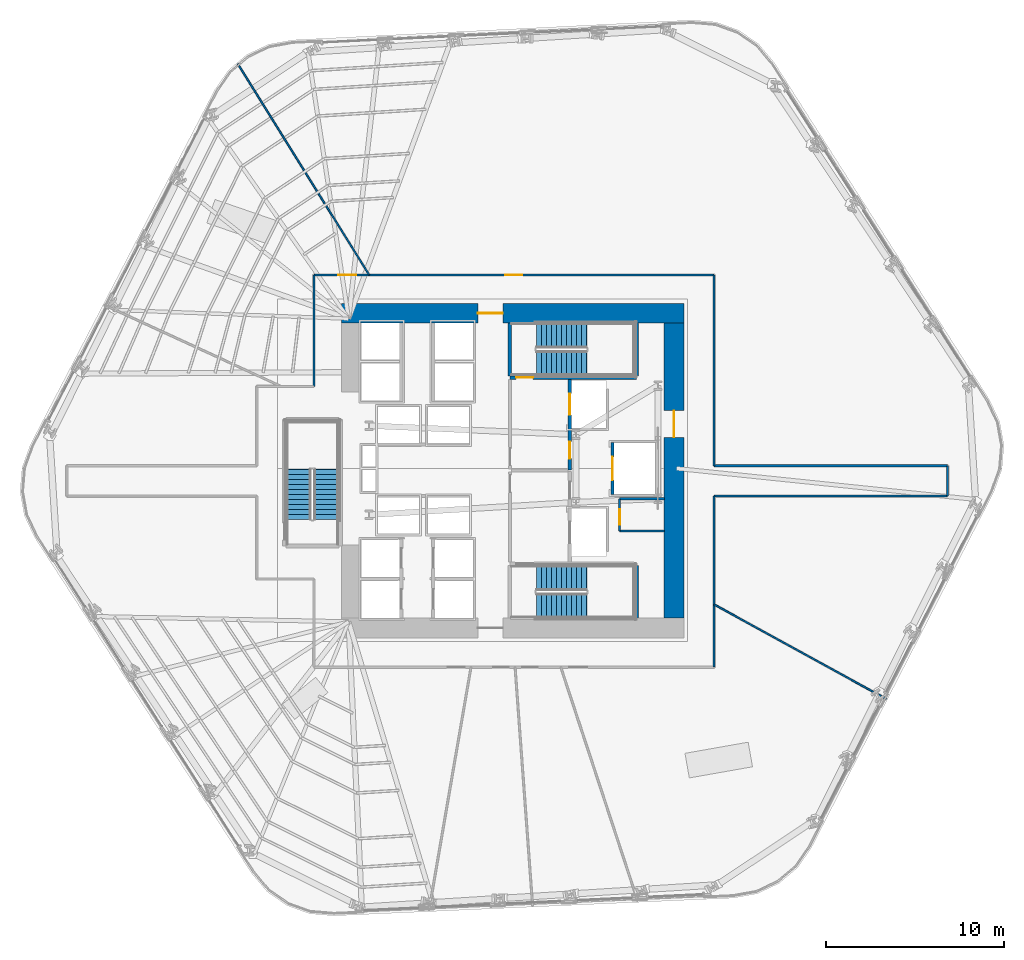
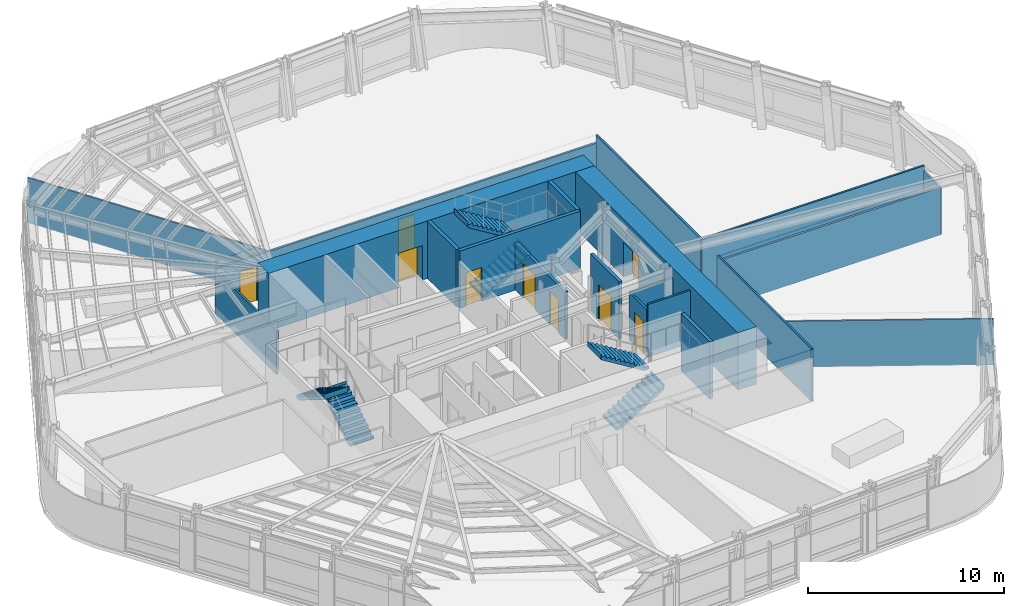
# One storey, part 9 of 15: 20 walls, 9 doors, 6 stair flights, 9 openings, 3 elements without a shape of their own.
"""IFC4 building model written with IfcOpenShell, lengths in metres."""

from ifc_helpers import new_model, si_unit, direction, frame, frame_2d, origin, place, context, subcontext, project, spatial, polyline, rectangle, outline, extrude, material, layer, layer_set, type_object, element, fill, aggregate, save


model = new_model("IFC4")

# Units and contexts
model_context = context("Model", 3, precision=1e-05, world=origin(), true_north=direction((0.0, 1.0)))
body_context = subcontext(model_context, "Body", "Model", "MODEL_VIEW")
ifc_project = project(units=[si_unit("LENGTHUNIT", "METRE"), si_unit("AREAUNIT", "SQUARE_METRE"), si_unit("VOLUMEUNIT", "CUBIC_METRE"), si_unit("PLANEANGLEUNIT", "RADIAN"), si_unit("MASSUNIT", "GRAM", prefix="KILO")], contexts=[model_context])

# Site, building, storey
site_placement = place(None, origin())
site = spatial("IfcSite", under=ifc_project, at=site_placement, CompositionType="ELEMENT")
building_placement = place(site_placement, origin())
building = spatial("IfcBuilding", under=site, at=building_placement, Name="Valkerne Bourse Tower", CompositionType="ELEMENT")
storey_placement = place(building_placement, frame((0.0, 0.0, 35.39990234375)))
storey = spatial("IfcBuildingStorey", under=building, at=storey_placement, Name="L08", CompositionType="ELEMENT", Elevation=35.39990234375)

# Wall, opening, door
ifc_material_1 = material(Name="Concrete C70/85", Category="concrete")
ifc_layer_1 = layer(ifc_material_1, 1.10009765625)
ifc_layer_set_1 = layer_set([ifc_layer_1], Name="Concrete C70/85")
wall_type_1 = type_object("IfcWallType", Name="W-CORE-1100", PredefinedType="SHEAR", material=ifc_layer_set_1)
wall_1_placement = place(storey_placement, frame((37.199951171875, 35.699951171875, 0.0), z_axis=(0.0, 0.0, 1.0), x_axis=(1.0, 0.0, 0.0)))
wall_1 = element("IfcWall", 1, at=wall_1_placement, inside=storey, type_object=wall_type_1, Name="L08 Core Shear Wall NORTH", PredefinedType="SHEAR", context=body_context, shape_type="SweptSolid", body=[
    extrude(rectangle(XDim=19.199951171875, YDim=1.10009765625, at=frame_2d((9.60009765625, 0.0))), origin(), (0.0, 0.0, 1.0), 3.580078125),
])
opening_1_placement = place(wall_1_placement, frame((7.64990234375, 0.0, 0.0)))
opening_1 = element("IfcOpeningElement", 2, at=opening_1_placement, cuts=wall_1, Name="Opening D-PL-1400", PredefinedType="OPENING", context=body_context, shape_type="SweptSolid", body=[
    extrude(rectangle(XDim=1.39990234375, YDim=2.14990234375, at=frame_2d((0.699951171875, 1.074951171875))), frame((0.0, 0.56005859375, 0.0), z_axis=(0.0, -1.0, 0.0), x_axis=(1.0, 0.0, 0.0)), (0.0, 0.0, 1.0), 1.1201171875),
])
ifc_material_2 = material(Name="Galvanised Painted Steel", Category="steel")
door_type_1 = type_object("IfcDoorType", Name="DR-PLT-1400", OperationType="DOUBLE_DOOR_SINGLE_SWING", PredefinedType="DOOR", material=ifc_material_2)
door_1_placement = place(opening_1_placement, origin())
door_1 = element("IfcDoor", 3, at=door_1_placement, inside=storey, type_object=door_type_1, Name="L08 North Passenger Lift Hall Fire Door", OperationType="DOUBLE_DOOR_SINGLE_SWING", OverallHeight=2.14990234375, OverallWidth=1.39990234375, PredefinedType="DOOR", context=body_context, shape_type="SweptSolid", body=[
    extrude(rectangle(XDim=1.39990234375, YDim=2.14990234375, at=frame_2d((0.699951171875, 1.074951171875))), frame((0.0, 0.02490234375, 0.0), z_axis=(0.0, -1.0, 0.0), x_axis=(1.0, 0.0, 0.0)), (0.0, 0.0, 1.0), 0.050048828125),
])
fill(opening_1, door_1)

wall_2_placement = place(storey_placement, frame((55.85009765625, 18.60009765625, 0.0), z_axis=(0.0, 0.0, 1.0), x_axis=(0.0, 1.0, 0.0)))
wall_2 = element("IfcWall", 4, at=wall_2_placement, inside=storey, type_object=wall_type_1, Name="L08 Core Shear Wall EAST", PredefinedType="SHEAR", context=body_context, shape_type="SweptSolid", body=[
    extrude(rectangle(XDim=16.5498046875, YDim=1.10009765625, at=frame_2d((8.27490234375, 0.0))), origin(), (0.0, 0.0, 1.0), 3.580078125),
])
opening_2_placement = place(wall_2_placement, frame((10.14990234375, 0.0, 0.0)))
opening_2 = element("IfcOpeningElement", 5, at=opening_2_placement, cuts=wall_2, Name="Opening D-CR-1500", PredefinedType="OPENING", context=body_context, shape_type="SweptSolid", body=[
    extrude(rectangle(XDim=1.5, YDim=2.14990234375, at=frame_2d((0.75, 1.074951171875))), frame((0.0, 0.56005859375, 0.0), z_axis=(0.0, -1.0, 0.0), x_axis=(1.0, 0.0, 0.0)), (0.0, 0.0, 1.0), 1.1201171875),
])
door_type_2 = type_object("IfcDoorType", Name="DR-CORR-1500", OperationType="DOUBLE_DOOR_SINGLE_SWING", PredefinedType="DOOR", material=ifc_material_2)
door_2_placement = place(opening_2_placement, origin())
door_2 = element("IfcDoor", 6, at=door_2_placement, inside=storey, type_object=door_type_2, Name="L08 East Core Service Lobby Fire Door", OperationType="DOUBLE_DOOR_SINGLE_SWING", OverallHeight=2.14990234375, OverallWidth=1.5, PredefinedType="DOOR", context=body_context, shape_type="SweptSolid", body=[
    extrude(rectangle(XDim=1.5, YDim=2.14990234375, at=frame_2d((0.75, 1.074951171875))), frame((0.0, 0.02490234375, 0.0), z_axis=(0.0, -1.0, 0.0), x_axis=(1.0, 0.0, 0.0)), (0.0, 0.0, 1.0), 0.050048828125),
])
fill(opening_2, door_2)

ifc_material_3 = material(Name="Gypsum Board Steel-Stud Partition", Category="steel")
ifc_layer_2 = layer(ifc_material_3, 0.117919921875)
ifc_layer_set_2 = layer_set([ifc_layer_2], Name="Gypsum Board Steel-Stud Partition")
wall_type_2 = type_object("IfcWallType", Name="W-CORR-140", PredefinedType="PARTITIONING", material=ifc_layer_set_2)
wall_3_placement = place(storey_placement, frame((52.800048828125, 23.5, 0.0), z_axis=(0.0, 0.0, 1.0), x_axis=(0.0, 1.0, 0.0)))
wall_3 = element("IfcWall", 7, at=wall_3_placement, inside=storey, type_object=wall_type_2, Name="L08 Core SE North-Bay West Wall", PredefinedType="PARTITIONING", context=body_context, shape_type="SweptSolid", body=[
    extrude(rectangle(XDim=1.800048828125, YDim=0.117919921875, at=frame_2d((0.89990234375, 0.0))), origin(), (0.0, 0.0, 1.0), 2.9580078125),
])
opening_3_placement = place(wall_3_placement, frame((0.35009765625, 0.0, 0.0)))
opening_3 = element("IfcOpeningElement", 8, at=opening_3_placement, cuts=wall_3, Name="Opening D-WC-900", PredefinedType="OPENING", context=body_context, shape_type="SweptSolid", body=[
    extrude(rectangle(XDim=0.860107421875, YDim=2.050048828125, at=frame_2d((0.43017578125, 1.02490234375))), frame((0.0, 0.06884765625, 0.0), z_axis=(0.0, -1.0, 0.0), x_axis=(1.0, 0.0, 0.0)), (0.0, 0.0, 1.0), 0.137939453125),
])
ifc_material_4 = material(Name="Architectural White Oak Timber", Category="wood")
door_type_3 = type_object("IfcDoorType", Name="DR-WC-900", OperationType="NOTDEFINED", PredefinedType="DOOR", material=ifc_material_4)
door_3_placement = place(opening_3_placement, origin())
door_3 = element("IfcDoor", 9, at=door_3_placement, inside=storey, type_object=door_type_3, Name="L08 Telecom Closet Door", OperationType="SINGLE_SWING_LEFT", OverallHeight=2.050048828125, OverallWidth=0.860107421875, PredefinedType="DOOR", context=body_context, shape_type="SweptSolid", body=[
    extrude(rectangle(XDim=0.860107421875, YDim=2.050048828125, at=frame_2d((0.43017578125, 1.02490234375))), frame((0.0, 0.02490234375, 0.0), z_axis=(0.0, -1.0, 0.0), x_axis=(1.0, 0.0, 0.0)), (0.0, 0.0, 1.0), 0.050048828125),
])
fill(opening_3, door_3)

# Walls
wall_4_placement = place(storey_placement, frame((52.800048828125, 23.5, 0.0), z_axis=(0.0, 0.0, 1.0), x_axis=(1.0, 0.0, 0.0)))
element("IfcWall", 10, at=wall_4_placement, inside=storey, type_object=wall_type_2, Name="L08 Core SE North-Bay South Wall", PredefinedType="PARTITIONING", context=body_context, shape_type="SweptSolid", body=[
    extrude(rectangle(XDim=2.52001953125, YDim=0.117919921875, at=frame_2d((1.260009765625, 0.0))), origin(), (0.0, 0.0, 1.0), 3.280029296875),
])
wall_5_placement = place(storey_placement, frame((52.800048828125, 25.300048828125, 0.0), z_axis=(0.0, 0.0, 1.0), x_axis=(1.0, 0.0, 0.0)))
element("IfcWall", 11, at=wall_5_placement, inside=storey, type_object=wall_type_2, Name="L08 Core SE North-Bay North Wall", PredefinedType="PARTITIONING", context=body_context, shape_type="SweptSolid", body=[
    extrude(rectangle(XDim=2.52001953125, YDim=0.117919921875, at=frame_2d((1.260009765625, 0.0))), origin(), (0.0, 0.0, 1.0), 2.9580078125),
])
wall_6_placement = place(storey_placement, frame((58.10009765625, 27.14990234375, 0.0), z_axis=(0.0, 0.0, 1.0), x_axis=(1.0, 0.0, 0.0)))
element("IfcWall", 12, at=wall_6_placement, inside=storey, type_object=wall_type_2, Name="L08 Corridor Enclosure Wall", PredefinedType="PARTITIONING", context=body_context, shape_type="SweptSolid", body=[
    extrude(rectangle(XDim=13.099853515625, YDim=0.117919921875, at=frame_2d((6.5498046875, 0.0))), origin(), (0.0, 0.0, 1.0), 3.280029296875),
])
wall_7_placement = place(storey_placement, frame((71.199951171875, 27.14990234375, 0.0), z_axis=(0.0, 0.0, 1.0), x_axis=(0.0, -1.0, 0.0)))
element("IfcWall", 13, at=wall_7_placement, inside=storey, type_object=wall_type_2, Name="L08 Corridor Enclosure Wall", PredefinedType="PARTITIONING", context=body_context, shape_type="SweptSolid", body=[
    extrude(rectangle(XDim=1.699951171875, YDim=0.117919921875, at=frame_2d((0.85009765625, 0.0))), origin(), (0.0, 0.0, 1.0), 2.962890625),
])
wall_8_placement = place(storey_placement, frame((71.199951171875, 25.449951171875, 0.0), z_axis=(0.0, 0.0, 1.0), x_axis=(-1.0, 0.0, 0.0)))
element("IfcWall", 14, at=wall_8_placement, inside=storey, type_object=wall_type_2, Name="L08 Corridor Enclosure Wall", PredefinedType="PARTITIONING", context=body_context, shape_type="SweptSolid", body=[
    extrude(rectangle(XDim=13.099853515625, YDim=0.117919921875, at=frame_2d((6.5498046875, 0.0))), origin(), (0.0, 0.0, 1.0), 2.962890625),
])
wall_9_placement = place(storey_placement, frame((58.10009765625, 25.449951171875, 0.0), z_axis=(0.0, 0.0, 1.0), x_axis=(0.0, -1.0, 0.0)))
element("IfcWall", 15, at=wall_9_placement, inside=storey, type_object=wall_type_2, Name="L08 Corridor Enclosure Wall", PredefinedType="PARTITIONING", context=body_context, shape_type="SweptSolid", body=[
    extrude(rectangle(XDim=9.599853515625, YDim=0.117919921875, at=frame_2d((4.7998046875, 0.0))), origin(), (0.0, 0.0, 1.0), 3.280029296875),
])
wall_10_placement = place(storey_placement, frame((35.64990234375, 31.60009765625, 0.0), z_axis=(0.0, 0.0, 1.0), x_axis=(0.0, 1.0, 0.0)))
element("IfcWall", 16, at=wall_10_placement, inside=storey, type_object=wall_type_2, Name="L08 Corridor Enclosure Wall", PredefinedType="PARTITIONING", context=body_context, shape_type="SweptSolid", body=[
    extrude(rectangle(XDim=6.25, YDim=0.117919921875, at=frame_2d((3.125, 0.0))), origin(), (0.0, 0.0, 1.0), 2.71142578125),
])

# Wall, openings, doors
wall_11_placement = place(storey_placement, frame((35.64990234375, 37.85009765625, 0.0), z_axis=(0.0, 0.0, 1.0), x_axis=(1.0, 0.0, 0.0)))
wall_11 = element("IfcWall", 17, at=wall_11_placement, inside=storey, type_object=wall_type_2, Name="L08 Corridor Enclosure Wall", PredefinedType="PARTITIONING", context=body_context, shape_type="SweptSolid", body=[
    extrude(rectangle(XDim=22.4501953125, YDim=0.117919921875, at=frame_2d((11.22509765625, 0.0))), origin(), (0.0, 0.0, 1.0), 2.800537109375),
])
opening_4_placement = place(wall_11_placement, frame((1.364990234375, 0.0, 0.0)))
opening_4 = element("IfcOpeningElement", 18, at=opening_4_placement, cuts=wall_11, Name="Opening D-MG-1000", PredefinedType="OPENING", context=body_context, shape_type="SweptSolid", body=[
    extrude(rectangle(XDim=1.0, YDim=2.14990234375, at=frame_2d((0.5, 1.074951171875))), frame((0.0, 0.06884765625, 0.0), z_axis=(0.0, -1.0, 0.0), x_axis=(1.0, 0.0, 0.0)), (0.0, 0.0, 1.0), 0.137939453125),
])
opening_5_placement = place(wall_11_placement, frame((10.75, 0.0, 0.0)))
opening_5 = element("IfcOpeningElement", 19, at=opening_5_placement, cuts=wall_11, Name="Opening D-OF-950", PredefinedType="OPENING", context=body_context, shape_type="SweptSolid", body=[
    extrude(rectangle(XDim=0.949951171875, YDim=2.10009765625, at=frame_2d((0.47509765625, 1.050048828125))), frame((0.0, 0.06884765625, 0.0), z_axis=(0.0, -1.0, 0.0), x_axis=(1.0, 0.0, 0.0)), (0.0, 0.0, 1.0), 0.137939453125),
])
ifc_material_5 = material(Name="Laminated Tempered Safety Glass", Category="glass")
door_type_4 = type_object("IfcDoorType", Name="DR-MTG-1000", OperationType="NOTDEFINED", PredefinedType="DOOR", material=ifc_material_5)
door_4_placement = place(opening_4_placement, origin())
door_4 = element("IfcDoor", 20, at=door_4_placement, inside=storey, type_object=door_type_4, Name="L08 L08 Client Strategy Conference Room 3 Door", OperationType="SINGLE_SWING_LEFT", OverallHeight=2.14990234375, OverallWidth=1.0, PredefinedType="DOOR", context=body_context, shape_type="SweptSolid", body=[
    extrude(rectangle(XDim=1.0, YDim=2.14990234375, at=frame_2d((0.5, 1.074951171875))), frame((0.0, 0.02490234375, 0.0), z_axis=(0.0, -1.0, 0.0), x_axis=(1.0, 0.0, 0.0)), (0.0, 0.0, 1.0), 0.050048828125),
])
fill(opening_4, door_4)
door_type_5 = type_object("IfcDoorType", Name="DR-OFF-950", OperationType="NOTDEFINED", PredefinedType="DOOR", material=ifc_material_4)
door_5_placement = place(opening_5_placement, origin())
door_5 = element("IfcDoor", 21, at=door_5_placement, inside=storey, type_object=door_type_5, Name="L08 L08 Hospitality Catering Kitchen 6 Door", OperationType="SINGLE_SWING_RIGHT", OverallHeight=2.10009765625, OverallWidth=0.949951171875, PredefinedType="DOOR", context=body_context, shape_type="SweptSolid", body=[
    extrude(rectangle(XDim=0.949951171875, YDim=2.10009765625, at=frame_2d((0.47509765625, 1.050048828125))), frame((0.0, 0.02490234375, 0.0), z_axis=(0.0, -1.0, 0.0), x_axis=(1.0, 0.0, 0.0)), (0.0, 0.0, 1.0), 0.050048828125),
])
fill(opening_5, door_5)

# Wall
wall_12_placement = place(storey_placement, frame((58.10009765625, 37.85009765625, 0.0), z_axis=(0.0, 0.0, 1.0), x_axis=(0.0, -1.0, 0.0)))
element("IfcWall", 22, at=wall_12_placement, inside=storey, type_object=wall_type_2, Name="L08 Corridor Enclosure Wall", PredefinedType="PARTITIONING", context=body_context, shape_type="SweptSolid", body=[
    extrude(rectangle(XDim=10.7001953125, YDim=0.117919921875, at=frame_2d((5.35009765625, 0.0))), origin(), (0.0, 0.0, 1.0), 3.280029296875),
])

# Wall, openings, doors
ifc_material_6 = material(Name="Gypsum Fire-Rated Shaftwall", Category="gypsum")
ifc_layer_3 = layer(ifc_material_6, 0.179931640625)
ifc_layer_set_3 = layer_set([ifc_layer_3], Name="Gypsum Fire-Rated Shaftwall")
wall_type_3 = type_object("IfcWallType", Name="W-FSAE-180", PredefinedType="PARTITIONING", material=ifc_layer_set_3)
wall_13_placement = place(storey_placement, frame((50.0, 26.919921875, 0.0), z_axis=(0.0, 0.0, 1.0), x_axis=(0.0, 1.0, 0.0)))
wall_13 = element("IfcWall", 23, at=wall_13_placement, inside=storey, type_object=wall_type_3, Name="L08 FSAE-2 Lobby & Shaft Front Wall", PredefinedType="PARTITIONING", context=body_context, shape_type="SweptSolid", body=[
    extrude(rectangle(XDim=5.080078125, YDim=0.179931640625, at=frame_2d((2.5400390625, 0.0))), origin(), (0.0, 0.0, 1.0), 2.9580078125),
])
opening_6_placement = place(wall_13_placement, frame((3.080078125, 0.0, 0.0)))
opening_6 = element("IfcOpeningElement", 24, at=opening_6_placement, cuts=wall_13, Name="Opening LD-1200", PredefinedType="OPENING", context=body_context, shape_type="SweptSolid", body=[
    extrude(rectangle(XDim=1.199951171875, YDim=2.14990234375, at=frame_2d((0.60009765625, 1.074951171875))), frame((0.0, 0.099853515625, 0.0), z_axis=(0.0, -1.0, 0.0), x_axis=(1.0, 0.0, 0.0)), (0.0, 0.0, 1.0), 0.199951171875),
])
opening_7_placement = place(wall_13_placement, frame((0.6298828125, 0.0, 0.0)))
opening_7 = element("IfcOpeningElement", 25, at=opening_7_placement, cuts=wall_13, Name="Opening D-FS-950", PredefinedType="OPENING", context=body_context, shape_type="SweptSolid", body=[
    extrude(rectangle(XDim=0.949951171875, YDim=2.10009765625, at=frame_2d((0.47509765625, 1.050048828125))), frame((0.0, 0.099853515625, 0.0), z_axis=(0.0, -1.0, 0.0), x_axis=(1.0, 0.0, 0.0)), (0.0, 0.0, 1.0), 0.199951171875),
])
door_type_6 = type_object("IfcDoorType", Name="DR-FSAE-950", OperationType="NOTDEFINED", PredefinedType="DOOR", material=ifc_material_2)
door_6_placement = place(opening_7_placement, origin())
door_6 = element("IfcDoor", 26, at=door_6_placement, inside=storey, type_object=door_type_6, Name="L08 FSAE-2 Lobby Corridor Fire Door", OperationType="SINGLE_SWING_LEFT", OverallHeight=2.10009765625, OverallWidth=0.949951171875, PredefinedType="DOOR", context=body_context, shape_type="SweptSolid", body=[
    extrude(rectangle(XDim=0.949951171875, YDim=2.10009765625, at=frame_2d((0.47509765625, 1.050048828125))), frame((0.0, 0.02490234375, 0.0), z_axis=(0.0, -1.0, 0.0), x_axis=(1.0, 0.0, 0.0)), (0.0, 0.0, 1.0), 0.050048828125),
])
fill(opening_7, door_6)
ifc_material_7 = material(Name="Stainless Steel AISI 316", Category="steel")
door_type_7 = type_object("IfcDoorType", Name="DR-LIFT-1200", OperationType="DOUBLE_DOOR_SLIDING", PredefinedType="DOOR", material=ifc_material_7)
door_7_placement = place(opening_6_placement, origin())
door_7 = element("IfcDoor", 27, at=door_7_placement, inside=storey, type_object=door_type_7, Name="L08 FSAE-2 Firefighting Lift Landing Door", OperationType="DOUBLE_DOOR_SLIDING", OverallHeight=2.14990234375, OverallWidth=1.199951171875, PredefinedType="DOOR", context=body_context, shape_type="SweptSolid", body=[
    extrude(rectangle(XDim=1.199951171875, YDim=2.14990234375, at=frame_2d((0.60009765625, 1.074951171875))), frame((0.0, 0.02490234375, 0.0), z_axis=(0.0, -1.0, 0.0), x_axis=(1.0, 0.0, 0.0)), (0.0, 0.0, 1.0), 0.050048828125),
])
fill(opening_6, door_7)

# Wall, opening, door
ifc_material_8 = material(Name="CMU Blockwork Masonry 200mm", Category="masonry")
ifc_layer_4 = layer(ifc_material_8, 0.179931640625)
ifc_layer_set_4 = layer_set([ifc_layer_4], Name="CMU Blockwork Masonry 200mm")
wall_type_4 = type_object("IfcWallType", Name="W-LFT-180", PredefinedType="SOLIDWALL", material=ifc_layer_set_4)
wall_14_placement = place(storey_placement, frame((52.39990234375, 25.550048828125, 0.0), z_axis=(0.0, 0.0, 1.0), x_axis=(0.0, 1.0, 0.0)))
wall_14 = element("IfcWall", 28, at=wall_14_placement, inside=storey, type_object=wall_type_4, Name="L08 Service Lift SV-1 Front Wall", PredefinedType="SOLIDWALL", context=body_context, shape_type="SweptSolid", body=[
    extrude(rectangle(XDim=2.89990234375, YDim=0.179931640625, at=frame_2d((1.449951171875, 0.0))), origin(), (0.0, 0.0, 1.0), 3.580078125),
])
opening_8_placement = place(wall_14_placement, frame((0.800048828125, 0.0, 0.0)))
opening_8 = element("IfcOpeningElement", 29, at=opening_8_placement, cuts=wall_14, Name="Opening LD-1300", PredefinedType="OPENING", context=body_context, shape_type="SweptSolid", body=[
    extrude(rectangle(XDim=1.300048828125, YDim=2.14990234375, at=frame_2d((0.64990234375, 1.074951171875))), frame((0.0, 0.099853515625, 0.0), z_axis=(0.0, -1.0, 0.0), x_axis=(1.0, 0.0, 0.0)), (0.0, 0.0, 1.0), 0.199951171875),
])
door_type_8 = type_object("IfcDoorType", Name="DR-LIFT-1300", OperationType="DOUBLE_DOOR_SLIDING", PredefinedType="DOOR", material=ifc_material_7)
door_8_placement = place(opening_8_placement, origin())
door_8 = element("IfcDoor", 30, at=door_8_placement, inside=storey, type_object=door_type_8, Name="L08 Service Lift SV-1 Landing Door", OperationType="DOUBLE_DOOR_SLIDING", OverallHeight=2.14990234375, OverallWidth=1.300048828125, PredefinedType="DOOR", context=body_context, shape_type="SweptSolid", body=[
    extrude(rectangle(XDim=1.300048828125, YDim=2.14990234375, at=frame_2d((0.64990234375, 1.074951171875))), frame((0.0, 0.02490234375, 0.0), z_axis=(0.0, -1.0, 0.0), x_axis=(1.0, 0.0, 0.0)), (0.0, 0.0, 1.0), 0.050048828125),
])
fill(opening_8, door_8)

# Walls
ifc_layer_5 = layer(ifc_material_3, 0.092041015625)
ifc_layer_set_5 = layer_set([ifc_layer_5], Name="Gypsum Board Steel-Stud Partition")
wall_type_5 = type_object("IfcWallType", Name="W-PART-115", PredefinedType="PARTITIONING", material=ifc_layer_set_5)
wall_15_placement = place(storey_placement, frame((58.10498046875, 19.367919921875, 0.0), z_axis=(0.0, 0.0, 1.0), x_axis=(0.876703895242, -0.481030435697, 0.0)))
element("IfcWall", 31, at=wall_15_placement, inside=storey, type_object=wall_type_5, Name="L08 Suite Partition P04", PredefinedType="PARTITIONING", context=body_context, shape_type="SweptSolid", body=[
    extrude(rectangle(XDim=11.017578125, YDim=0.092041015625, at=frame_2d((5.5087890625, 0.0))), origin(), (0.0, 0.0, 1.0), 2.864013671875),
])
wall_16_placement = place(storey_placement, frame((38.75537109375, 37.85498046875, 0.0), z_axis=(0.0, 0.0, 1.0), x_axis=(-0.528612461817, 0.84886327828, 0.0)))
element("IfcWall", 32, at=wall_16_placement, inside=storey, type_object=wall_type_5, Name="L08 Suite Partition P05", PredefinedType="PARTITIONING", context=body_context, shape_type="SweptSolid", body=[
    extrude(rectangle(XDim=13.95166015625, YDim=0.092041015625, at=frame_2d((6.975830078125, 0.0))), origin(), (0.0, 0.0, 1.0), 2.800537109375),
])
ifc_material_9 = material(Name="Concrete C40/50", Category="concrete")
ifc_layer_6 = layer(ifc_material_9, 0.199951171875)
ifc_layer_set_6 = layer_set([ifc_layer_6], Name="Concrete C40/50")
wall_type_6 = type_object("IfcWallType", Name="W-SHF-200", PredefinedType="SHEAR", material=ifc_layer_set_6)
wall_17_placement = place(storey_placement, frame((53.75, 18.60009765625, 0.0), z_axis=(0.0, 0.0, 1.0), x_axis=(0.0, 1.0, 0.0)))
element("IfcWall", 33, at=wall_17_placement, inside=storey, type_object=wall_type_6, Name="L08 Exit Stair ST-1 Structural Shaft Wall East", PredefinedType="SHEAR", context=body_context, shape_type="SweptSolid", body=[
    extrude(rectangle(XDim=2.949951171875, YDim=0.199951171875, at=frame_2d((1.47509765625, 0.0))), origin(), (0.0, 0.0, 1.0), 3.580078125),
])

# Wall, opening, door
wall_18_placement = place(storey_placement, frame((46.64990234375, 32.10009765625, 0.0), z_axis=(0.0, 0.0, 1.0), x_axis=(1.0, 0.0, 0.0)))
wall_18 = element("IfcWall", 34, at=wall_18_placement, inside=storey, type_object=wall_type_6, Name="L08 Exit Stair ST-2 Structural Shaft Wall South", PredefinedType="SHEAR", context=body_context, shape_type="SweptSolid", body=[
    extrude(rectangle(XDim=7.10009765625, YDim=0.199951171875, at=frame_2d((3.550048828125, 0.0))), origin(), (0.0, 0.0, 1.0), 3.580078125),
])
opening_9_placement = place(wall_18_placement, frame((0.35009765625, 0.0, 0.0)))
opening_9 = element("IfcOpeningElement", 35, at=opening_9_placement, cuts=wall_18, Name="Opening D-ST-950", PredefinedType="OPENING", context=body_context, shape_type="SweptSolid", body=[
    extrude(rectangle(XDim=0.949951171875, YDim=2.10009765625, at=frame_2d((0.47509765625, 1.050048828125))), frame((0.0, 0.10986328125, 0.0), z_axis=(0.0, -1.0, 0.0), x_axis=(1.0, 0.0, 0.0)), (0.0, 0.0, 1.0), 0.219970703125),
])
door_type_9 = type_object("IfcDoorType", Name="DR-STAIR-950", OperationType="NOTDEFINED", PredefinedType="DOOR", material=ifc_material_2)
door_9_placement = place(opening_9_placement, origin())
door_9 = element("IfcDoor", 36, at=door_9_placement, inside=storey, type_object=door_type_9, Name="L08 Exit Stair ST-2 Door", OperationType="SINGLE_SWING_RIGHT", OverallHeight=2.10009765625, OverallWidth=0.949951171875, PredefinedType="DOOR", context=body_context, shape_type="SweptSolid", body=[
    extrude(rectangle(XDim=0.949951171875, YDim=2.10009765625, at=frame_2d((0.47509765625, 1.050048828125))), frame((0.0, 0.02490234375, 0.0), z_axis=(0.0, -1.0, 0.0), x_axis=(1.0, 0.0, 0.0)), (0.0, 0.0, 1.0), 0.050048828125),
])
fill(opening_9, door_9)

# Walls
for number, where, z_axis, x_axis, name in (
    (37, (46.64990234375, 32.199951171875, 0.0), (0.0, 0.0, 1.0), (0.0, 1.0, 0.0), "L08 Exit Stair ST-2 Structural Shaft Wall West"),
    (38, (53.75, 32.199951171875, 0.0), (0.0, 0.0, 1.0), (0.0, 1.0, 0.0), "L08 Exit Stair ST-2 Structural Shaft Wall East"),
):
    element("IfcWall", number, at=place(storey_placement, frame(where, z_axis=z_axis, x_axis=x_axis)), inside=storey, type_object=wall_type_6, Name=name, PredefinedType="SHEAR", context=body_context, shape_type="SweptSolid", body=[
        extrude(rectangle(XDim=2.949951171875, YDim=0.199951171875, at=frame_2d((1.47509765625, 0.0))), origin(), (0.0, 0.0, 1.0), 3.580078125),
    ])

# Stair, stair flights
stair_type = type_object("IfcStairType", Name="ST-CORE-1400", PredefinedType="HALF_TURN_STAIR", material=ifc_material_9)
stair_1_placement = place(storey_placement, origin())
stair_1 = element("IfcStair", 39, at=stair_1_placement, inside=storey, type_object=stair_type, Name="L08 ST-1", PredefinedType="HALF_TURN_STAIR")
stair_flight_type = type_object("IfcStairFlightType", Name="STF-CORE-1400", PredefinedType="STRAIGHT", material=ifc_material_9)
stair_flight_1_placement = place(storey_placement, frame((48.14990234375, 19.300048828125, 0.0), z_axis=(0.0, 0.0, 1.0), x_axis=(1.0, 0.0, 0.0)))
stair_flight_1 = element("IfcStairFlight", 40, at=stair_flight_1_placement, type_object=stair_flight_type, Name="ST-1 flight 1", NumberOfRisers=11, NumberOfTreads=10, PredefinedType="STRAIGHT", RiserHeight=0.172727273, TreadLength=0.28, context=body_context, shape_type="SweptSolid", body=[
    extrude(outline(polyline([(-0.02001953125, 0.0), (-0.02001953125, 0.044921875), (0.0, 0.044921875), (0.0, 0.172607421875), (0.280029296875, 0.172607421875), (0.280029296875, 0.345458984375), (0.56005859375, 0.345458984375), (0.56005859375, 0.51806640625), (0.840087890625, 0.51806640625), (0.840087890625, 0.69091796875), (1.1201171875, 0.69091796875), (1.1201171875, 0.863525390625), (1.39990234375, 0.863525390625), (1.39990234375, 1.036376953125), (1.679931640625, 1.036376953125), (1.679931640625, 1.208984375), (1.9599609375, 1.208984375), (1.9599609375, 1.3818359375), (2.239990234375, 1.3818359375), (2.239990234375, 1.554443359375), (2.52001953125, 1.554443359375), (2.52001953125, 1.727294921875), (2.800048828125, 1.727294921875), (2.800048828125, 1.89990234375), (2.820068359375, 1.89990234375), (2.820068359375, 1.780029296875), (2.800048828125, 1.551025390625), (0.285400390625, 0.0), (-0.02001953125, 0.0)])), frame((0.0, 0.699951171875, 0.0), z_axis=(0.0, -1.0, 0.0), x_axis=(1.0, 0.0, 0.0)), (0.0, 0.0, 1.0), 1.39990234375),
])
stair_flight_2_placement = place(storey_placement, frame((50.949951171875, 20.85009765625, 1.900146484375), z_axis=(0.0, 0.0, 1.0), x_axis=(-1.0, 0.0, 0.0)))
stair_flight_2 = element("IfcStairFlight", 41, at=stair_flight_2_placement, type_object=stair_flight_type, Name="ST-1 flight 2", NumberOfRisers=11, NumberOfTreads=10, PredefinedType="STRAIGHT", RiserHeight=0.172727273, TreadLength=0.28, context=body_context, shape_type="SweptSolid", body=[
    extrude(outline(polyline([(-0.02001953125, 0.0), (-0.02001953125, 0.044921875), (0.0, 0.044921875), (0.0, 0.172607421875), (0.280029296875, 0.172607421875), (0.280029296875, 0.345458984375), (0.56005859375, 0.345458984375), (0.56005859375, 0.51806640625), (0.840087890625, 0.51806640625), (0.840087890625, 0.69091796875), (1.1201171875, 0.69091796875), (1.1201171875, 0.863525390625), (1.39990234375, 0.863525390625), (1.39990234375, 1.036376953125), (1.679931640625, 1.036376953125), (1.679931640625, 1.208984375), (1.9599609375, 1.208984375), (1.9599609375, 1.3818359375), (2.239990234375, 1.3818359375), (2.239990234375, 1.554443359375), (2.52001953125, 1.554443359375), (2.52001953125, 1.727294921875), (2.800048828125, 1.727294921875), (2.800048828125, 1.89990234375), (2.820068359375, 1.89990234375), (2.820068359375, 1.780029296875), (2.800048828125, 1.551025390625), (0.285400390625, 0.0), (-0.02001953125, 0.0)])), frame((0.0, 0.699951171875, 0.0), z_axis=(0.0, -1.0, 0.0), x_axis=(1.0, 0.0, 0.0)), (0.0, 0.0, 1.0), 1.39990234375),
])
aggregate(stair_1, [stair_flight_1, stair_flight_2])

stair_2_placement = place(storey_placement, origin())
stair_2 = element("IfcStair", 42, at=stair_2_placement, inside=storey, type_object=stair_type, Name="L08 ST-2", PredefinedType="HALF_TURN_STAIR")
stair_flight_3_placement = place(storey_placement, frame((48.14990234375, 32.89990234375, 0.0), z_axis=(0.0, 0.0, 1.0), x_axis=(1.0, 0.0, 0.0)))
stair_flight_3 = element("IfcStairFlight", 43, at=stair_flight_3_placement, type_object=stair_flight_type, Name="ST-2 flight 1", NumberOfRisers=11, NumberOfTreads=10, PredefinedType="STRAIGHT", RiserHeight=0.172727273, TreadLength=0.28, context=body_context, shape_type="SweptSolid", body=[
    extrude(outline(polyline([(-0.02001953125, 0.0), (-0.02001953125, 0.044921875), (0.0, 0.044921875), (0.0, 0.172607421875), (0.280029296875, 0.172607421875), (0.280029296875, 0.345458984375), (0.56005859375, 0.345458984375), (0.56005859375, 0.51806640625), (0.840087890625, 0.51806640625), (0.840087890625, 0.69091796875), (1.1201171875, 0.69091796875), (1.1201171875, 0.863525390625), (1.39990234375, 0.863525390625), (1.39990234375, 1.036376953125), (1.679931640625, 1.036376953125), (1.679931640625, 1.208984375), (1.9599609375, 1.208984375), (1.9599609375, 1.3818359375), (2.239990234375, 1.3818359375), (2.239990234375, 1.554443359375), (2.52001953125, 1.554443359375), (2.52001953125, 1.727294921875), (2.800048828125, 1.727294921875), (2.800048828125, 1.89990234375), (2.820068359375, 1.89990234375), (2.820068359375, 1.780029296875), (2.800048828125, 1.551025390625), (0.285400390625, 0.0), (-0.02001953125, 0.0)])), frame((0.0, 0.699951171875, 0.0), z_axis=(0.0, -1.0, 0.0), x_axis=(1.0, 0.0, 0.0)), (0.0, 0.0, 1.0), 1.39990234375),
])
stair_flight_4_placement = place(storey_placement, frame((50.949951171875, 34.449951171875, 1.900146484375), z_axis=(0.0, 0.0, 1.0), x_axis=(-1.0, 0.0, 0.0)))
stair_flight_4 = element("IfcStairFlight", 44, at=stair_flight_4_placement, type_object=stair_flight_type, Name="ST-2 flight 2", NumberOfRisers=11, NumberOfTreads=10, PredefinedType="STRAIGHT", RiserHeight=0.172727273, TreadLength=0.28, context=body_context, shape_type="SweptSolid", body=[
    extrude(outline(polyline([(-0.02001953125, 0.0), (-0.02001953125, 0.044921875), (0.0, 0.044921875), (0.0, 0.172607421875), (0.280029296875, 0.172607421875), (0.280029296875, 0.345458984375), (0.56005859375, 0.345458984375), (0.56005859375, 0.51806640625), (0.840087890625, 0.51806640625), (0.840087890625, 0.69091796875), (1.1201171875, 0.69091796875), (1.1201171875, 0.863525390625), (1.39990234375, 0.863525390625), (1.39990234375, 1.036376953125), (1.679931640625, 1.036376953125), (1.679931640625, 1.208984375), (1.9599609375, 1.208984375), (1.9599609375, 1.3818359375), (2.239990234375, 1.3818359375), (2.239990234375, 1.554443359375), (2.52001953125, 1.554443359375), (2.52001953125, 1.727294921875), (2.800048828125, 1.727294921875), (2.800048828125, 1.89990234375), (2.820068359375, 1.89990234375), (2.820068359375, 1.780029296875), (2.800048828125, 1.551025390625), (0.285400390625, 0.0), (-0.02001953125, 0.0)])), frame((0.0, 0.699951171875, 0.0), z_axis=(0.0, -1.0, 0.0), x_axis=(1.0, 0.0, 0.0)), (0.0, 0.0, 1.0), 1.39990234375),
])
aggregate(stair_2, [stair_flight_3, stair_flight_4])

stair_3_placement = place(storey_placement, origin())
stair_3 = element("IfcStair", 45, at=stair_3_placement, inside=storey, type_object=stair_type, Name="L08 ST-3", PredefinedType="HALF_TURN_STAIR")
stair_flight_5_placement = place(storey_placement, frame((36.35009765625, 24.14990234375, 0.0), z_axis=(0.0, 0.0, 1.0), x_axis=(0.0, 1.0, 0.0)))
stair_flight_5 = element("IfcStairFlight", 46, at=stair_flight_5_placement, type_object=stair_flight_type, Name="ST-3 flight 1", NumberOfRisers=11, NumberOfTreads=10, PredefinedType="STRAIGHT", RiserHeight=0.172727273, TreadLength=0.28, context=body_context, shape_type="SweptSolid", body=[
    extrude(outline(polyline([(-0.02001953125, 0.0), (-0.02001953125, 0.044921875), (0.0, 0.044921875), (0.0, 0.172607421875), (0.280029296875, 0.172607421875), (0.280029296875, 0.345458984375), (0.56005859375, 0.345458984375), (0.56005859375, 0.51806640625), (0.840087890625, 0.51806640625), (0.840087890625, 0.69091796875), (1.1201171875, 0.69091796875), (1.1201171875, 0.863525390625), (1.39990234375, 0.863525390625), (1.39990234375, 1.036376953125), (1.679931640625, 1.036376953125), (1.679931640625, 1.208984375), (1.9599609375, 1.208984375), (1.9599609375, 1.3818359375), (2.239990234375, 1.3818359375), (2.239990234375, 1.554443359375), (2.52001953125, 1.554443359375), (2.52001953125, 1.727294921875), (2.800048828125, 1.727294921875), (2.800048828125, 1.89990234375), (2.820068359375, 1.89990234375), (2.820068359375, 1.780029296875), (2.800048828125, 1.551025390625), (0.285400390625, 0.0), (-0.02001953125, 0.0)])), frame((0.0, 0.699951171875, 0.0), z_axis=(0.0, -1.0, 0.0), x_axis=(1.0, 0.0, 0.0)), (0.0, 0.0, 1.0), 1.39990234375),
])
stair_flight_6_placement = place(storey_placement, frame((34.800048828125, 26.949951171875, 1.900146484375), z_axis=(0.0, 0.0, 1.0), x_axis=(0.0, -1.0, 0.0)))
stair_flight_6 = element("IfcStairFlight", 47, at=stair_flight_6_placement, type_object=stair_flight_type, Name="ST-3 flight 2", NumberOfRisers=11, NumberOfTreads=10, PredefinedType="STRAIGHT", RiserHeight=0.172727273, TreadLength=0.28, context=body_context, shape_type="SweptSolid", body=[
    extrude(outline(polyline([(-0.02001953125, 0.0), (-0.02001953125, 0.044921875), (0.0, 0.044921875), (0.0, 0.172607421875), (0.280029296875, 0.172607421875), (0.280029296875, 0.345458984375), (0.56005859375, 0.345458984375), (0.56005859375, 0.51806640625), (0.840087890625, 0.51806640625), (0.840087890625, 0.69091796875), (1.1201171875, 0.69091796875), (1.1201171875, 0.863525390625), (1.39990234375, 0.863525390625), (1.39990234375, 1.036376953125), (1.679931640625, 1.036376953125), (1.679931640625, 1.208984375), (1.9599609375, 1.208984375), (1.9599609375, 1.3818359375), (2.239990234375, 1.3818359375), (2.239990234375, 1.554443359375), (2.52001953125, 1.554443359375), (2.52001953125, 1.727294921875), (2.800048828125, 1.727294921875), (2.800048828125, 1.89990234375), (2.820068359375, 1.89990234375), (2.820068359375, 1.780029296875), (2.800048828125, 1.551025390625), (0.285400390625, 0.0), (-0.02001953125, 0.0)])), frame((0.0, 0.699951171875, 0.0), z_axis=(0.0, -1.0, 0.0), x_axis=(1.0, 0.0, 0.0)), (0.0, 0.0, 1.0), 1.39990234375),
])
aggregate(stair_3, [stair_flight_5, stair_flight_6])

save(model, "model.ifc")
